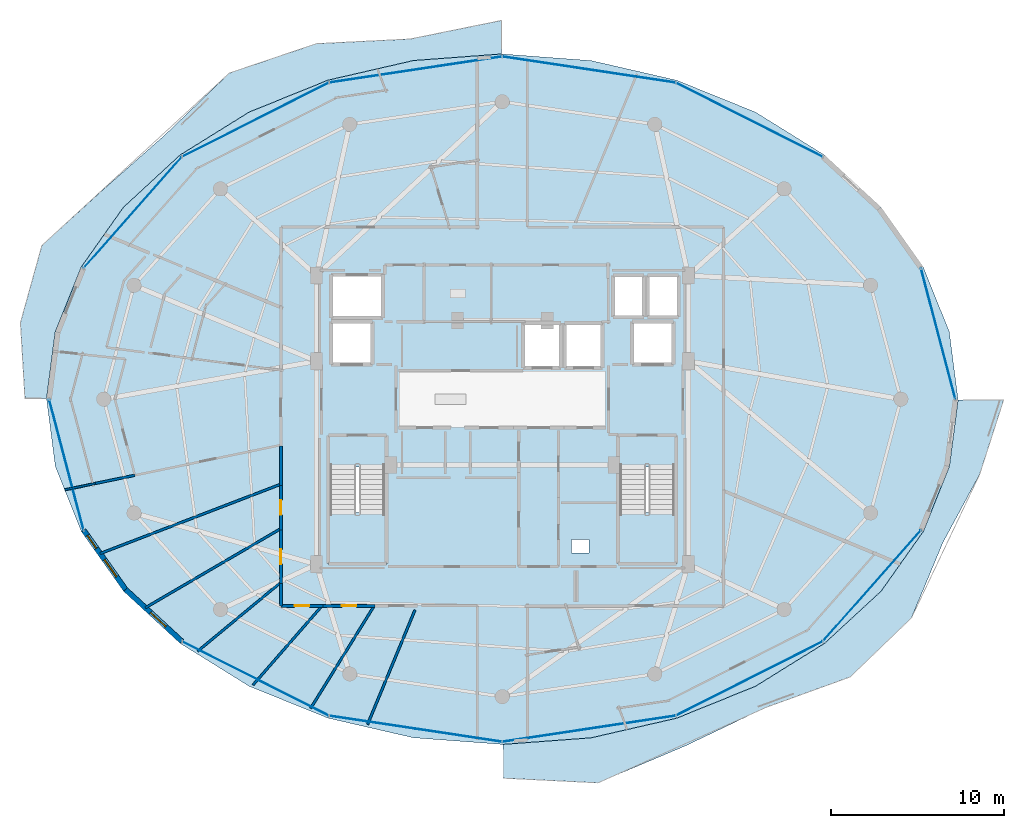
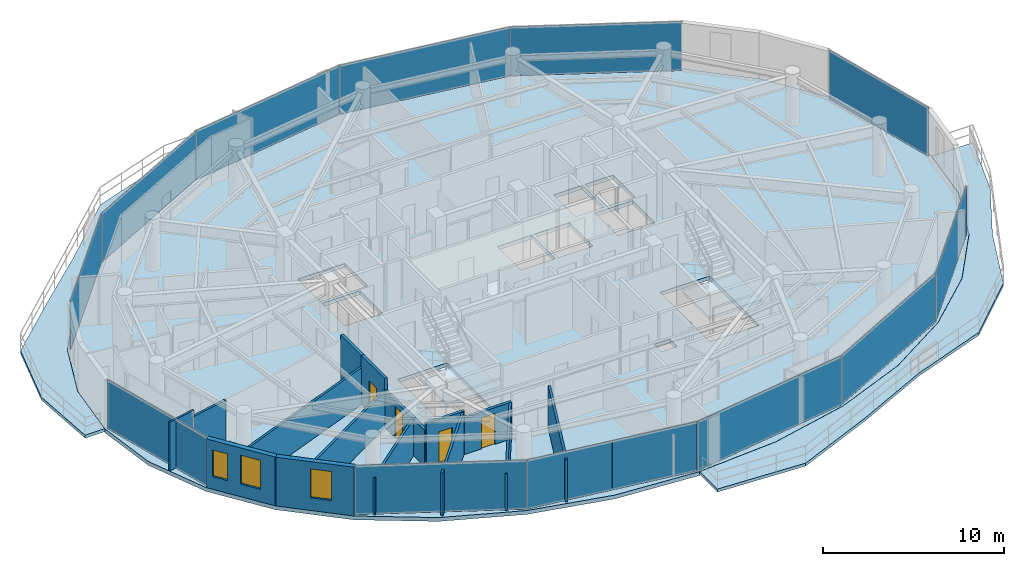
# One storey, part 21 of 30: 16 walls, 13 plates, 5 slabs, 4 doors, 3 windows, 7 openings, 6 elements without a shape of their own.
"""IFC4 building model written with IfcOpenShell, lengths in metres."""

from ifc_helpers import new_model, si_unit, direction, frame, frame_2d, origin, origin_2d, place, context, subcontext, project, spatial, polyline, rectangle, outline, extrude, material, layer, layer_set, type_object, element, fill, aggregate, save


model = new_model("IFC4")

# Units and contexts
model_context = context("Model", 3, precision=1e-05, world=origin(), true_north=direction((0.0, 1.0)))
body_context = subcontext(model_context, "Body", "Model", "MODEL_VIEW")
ifc_project = project(units=[si_unit("LENGTHUNIT", "METRE"), si_unit("AREAUNIT", "SQUARE_METRE"), si_unit("VOLUMEUNIT", "CUBIC_METRE"), si_unit("PLANEANGLEUNIT", "RADIAN"), si_unit("MASSUNIT", "GRAM", prefix="KILO")], contexts=[model_context])

# Site, building, storey
site_placement = place(None, origin())
site = spatial("IfcSite", under=ifc_project, at=site_placement, CompositionType="ELEMENT")
building_placement = place(site_placement, origin())
building = spatial("IfcBuilding", under=site, at=building_placement, Name="Vorneva Point Tower", CompositionType="ELEMENT")
storey_placement = place(building_placement, frame((0.0, 0.0, 237.800048828125)))
storey = spatial("IfcBuildingStorey", under=building, at=storey_placement, Name="L64", CompositionType="ELEMENT", Elevation=237.800048828125)

# Curtain wall, plate
ifc_material_1 = material(Name="Pale anodised aluminium", Category="aluminium")
curtain_wall_type = type_object("IfcCurtainWallType", Name="CW-RES-SYS", PredefinedType="NOTDEFINED", material=ifc_material_1)
curtain_wall_1_placement = place(storey_placement, origin())
curtain_wall_1 = element("IfcCurtainWall", 1, at=curtain_wall_1_placement, inside=storey, type_object=curtain_wall_type, Name="L64 Unitised Curtain Wall CW-L64-R01", PredefinedType="NOTDEFINED")
ifc_material_2 = material(Name="Double low-e laminated glass IGU", Category="glass")
ifc_layer_1 = layer(ifc_material_2, 0.035888671875)
ifc_layer_set_1 = layer_set([ifc_layer_1], Name="Double low-e laminated glass IGU")
plate_type = type_object("IfcPlateType", Name="CW-PNL-VIS", PredefinedType="CURTAIN_PANEL", material=ifc_layer_set_1)
plate_1_placement = place(storey_placement, frame((63.202880859375, 29.79052734375, -0.02001953125), z_axis=(0.0, 0.0, 1.0), x_axis=(-0.254416284022, 0.967094801157, 0.0)))
plate_1 = element("IfcPlate", 2, at=plate_1_placement, type_object=plate_type, Name="CW-L64-R01 Glazed Panel 01", PredefinedType="CURTAIN_PANEL", context=body_context, shape_type="SweptSolid", body=[
    extrude(rectangle(XDim=7.7890625, YDim=0.035888671875, at=origin_2d()), origin(), (0.0, 0.0, 1.0), 3.330078125),
])
aggregate(curtain_wall_1, [plate_1])

# Curtain wall, plates
curtain_wall_2_placement = place(storey_placement, origin())
curtain_wall_2 = element("IfcCurtainWall", 3, at=curtain_wall_2_placement, inside=storey, type_object=curtain_wall_type, Name="L64 Unitised Curtain Wall CW-L64-R02", PredefinedType="NOTDEFINED")
plate_2_placement = place(storey_placement, frame((52.2763671875, 42.15478515625, -0.02001953125), z_axis=(0.0, 0.0, 1.0), x_axis=(-0.892554339087, 0.450939853836, 0.0)))
plate_2 = element("IfcPlate", 4, at=plate_2_placement, type_object=plate_type, Name="CW-L64-R02 Glazed Panel 01", PredefinedType="CURTAIN_PANEL", context=body_context, shape_type="SweptSolid", body=[
    extrude(rectangle(XDim=9.47314453125, YDim=0.035888671875, at=origin_2d()), origin(), (0.0, 0.0, 1.0), 3.330078125),
])
plate_3_placement = place(storey_placement, frame((43.01318359375, 45.055908203125, -0.02001953125), z_axis=(0.0, 0.0, 1.0), x_axis=(-0.988878712919, 0.148724211669, 0.0)))
plate_3 = element("IfcPlate", 5, at=plate_3_placement, type_object=plate_type, Name="CW-L64-R02 Glazed Panel 02", PredefinedType="CURTAIN_PANEL", context=body_context, shape_type="SweptSolid", body=[
    extrude(rectangle(XDim=10.089111328125, YDim=0.035888671875, at=origin_2d()), origin(), (0.0, 0.0, 1.0), 3.330078125),
])
plate_4_placement = place(storey_placement, frame((32.98681640625, 45.055908203125, -0.02001953125), z_axis=(0.0, 0.0, 1.0), x_axis=(-0.988878712919, -0.148724211669, 0.0)))
plate_4 = element("IfcPlate", 6, at=plate_4_placement, type_object=plate_type, Name="CW-L64-R02 Glazed Panel 03", PredefinedType="CURTAIN_PANEL", context=body_context, shape_type="SweptSolid", body=[
    extrude(rectangle(XDim=10.089111328125, YDim=0.035888671875, at=origin_2d()), origin(), (0.0, 0.0, 1.0), 3.330078125),
])
plate_5_placement = place(storey_placement, frame((23.723876953125, 42.15478515625, -0.02001953125), z_axis=(0.0, 0.0, 1.0), x_axis=(-0.892554339087, -0.450939853836, 0.0)))
plate_5 = element("IfcPlate", 7, at=plate_5_placement, type_object=plate_type, Name="CW-L64-R02 Glazed Panel 04", PredefinedType="CURTAIN_PANEL", context=body_context, shape_type="SweptSolid", body=[
    extrude(rectangle(XDim=9.47314453125, YDim=0.035888671875, at=origin_2d()), origin(), (0.0, 0.0, 1.0), 3.330078125),
])
plate_6_placement = place(storey_placement, frame((16.634033203125, 36.79443359375, -0.02001953125), z_axis=(0.0, 0.0, 1.0), x_axis=(-0.662188570806, -0.749337238294, 0.0)))
plate_6 = element("IfcPlate", 8, at=plate_6_placement, type_object=plate_type, Name="CW-L64-R02 Glazed Panel 05", PredefinedType="CURTAIN_PANEL", context=body_context, shape_type="SweptSolid", body=[
    extrude(rectangle(XDim=8.526611328125, YDim=0.035888671875, at=origin_2d()), origin(), (0.0, 0.0, 1.0), 3.330078125),
])
aggregate(curtain_wall_2, [plate_2, plate_3, plate_4, plate_5, plate_6])

# Curtain wall, plate
curtain_wall_3_placement = place(storey_placement, origin())
curtain_wall_3 = element("IfcCurtainWall", 9, at=curtain_wall_3_placement, inside=storey, type_object=curtain_wall_type, Name="L64 Unitised Curtain Wall CW-L64-R03", PredefinedType="NOTDEFINED")
plate_7_placement = place(storey_placement, frame((12.797119140625, 22.20947265625, -0.02001953125), z_axis=(0.0, 0.0, 1.0), x_axis=(0.254416284022, -0.967094801157, 0.0)))
plate_7 = element("IfcPlate", 10, at=plate_7_placement, type_object=plate_type, Name="CW-L64-R03 Glazed Panel 01", PredefinedType="CURTAIN_PANEL", context=body_context, shape_type="SweptSolid", body=[
    extrude(rectangle(XDim=7.7890625, YDim=0.035888671875, at=origin_2d()), origin(), (0.0, 0.0, 1.0), 3.330078125),
])
aggregate(curtain_wall_3, [plate_7])

# Curtain wall, plates
curtain_wall_4_placement = place(storey_placement, origin())
curtain_wall_4 = element("IfcCurtainWall", 11, at=curtain_wall_4_placement, inside=storey, type_object=curtain_wall_type, Name="L64 Unitised Curtain Wall CW-L64-R04", PredefinedType="NOTDEFINED")
plate_8_placement = place(storey_placement, frame((23.723876953125, 9.84521484375, -0.02001953125), z_axis=(0.0, 0.0, 1.0), x_axis=(0.892554339087, -0.450939853836, 0.0)))
plate_8 = element("IfcPlate", 12, at=plate_8_placement, type_object=plate_type, Name="CW-L64-R04 Glazed Panel 01", PredefinedType="CURTAIN_PANEL", context=body_context, shape_type="SweptSolid", body=[
    extrude(rectangle(XDim=9.47314453125, YDim=0.035888671875, at=origin_2d()), origin(), (0.0, 0.0, 1.0), 3.330078125),
])
plate_9_placement = place(storey_placement, frame((30.480224609375, 7.32080078125, -0.02001953125), z_axis=(0.0, 0.0, 1.0), x_axis=(0.988878712919, -0.148724211669, 0.0)))
plate_9 = element("IfcPlate", 13, at=plate_9_placement, type_object=plate_type, Name="CW-L64-R04 Glazed Panel 02A", PredefinedType="CURTAIN_PANEL", context=body_context, shape_type="SweptSolid", body=[
    extrude(rectangle(XDim=5.01953125, YDim=0.035888671875, at=origin_2d()), origin(), (0.0, 0.0, 1.0), 3.330078125),
])
plate_10_placement = place(storey_placement, frame((35.493408203125, 6.56689453125, -0.02001953125), z_axis=(0.0, 0.0, 1.0), x_axis=(0.988878712919, -0.148724211669, 0.0)))
plate_10 = element("IfcPlate", 14, at=plate_10_placement, type_object=plate_type, Name="CW-L64-R04 Glazed Panel 02B", PredefinedType="CURTAIN_PANEL", context=body_context, shape_type="SweptSolid", body=[
    extrude(rectangle(XDim=5.01953125, YDim=0.035888671875, at=origin_2d()), origin(), (0.0, 0.0, 1.0), 3.330078125),
])
plate_11_placement = place(storey_placement, frame((43.01318359375, 6.944091796875, -0.02001953125), z_axis=(0.0, 0.0, 1.0), x_axis=(0.988878712919, 0.148724211669, 0.0)))
plate_11 = element("IfcPlate", 15, at=plate_11_placement, type_object=plate_type, Name="CW-L64-R04 Glazed Panel 03", PredefinedType="CURTAIN_PANEL", context=body_context, shape_type="SweptSolid", body=[
    extrude(rectangle(XDim=10.089111328125, YDim=0.035888671875, at=origin_2d()), origin(), (0.0, 0.0, 1.0), 3.330078125),
])
plate_12_placement = place(storey_placement, frame((52.2763671875, 9.84521484375, -0.02001953125), z_axis=(0.0, 0.0, 1.0), x_axis=(0.892554339087, 0.450939853836, 0.0)))
plate_12 = element("IfcPlate", 16, at=plate_12_placement, type_object=plate_type, Name="CW-L64-R04 Glazed Panel 04", PredefinedType="CURTAIN_PANEL", context=body_context, shape_type="SweptSolid", body=[
    extrude(rectangle(XDim=9.47314453125, YDim=0.035888671875, at=origin_2d()), origin(), (0.0, 0.0, 1.0), 3.330078125),
])
plate_13_placement = place(storey_placement, frame((59.365966796875, 15.20556640625, -0.02001953125), z_axis=(0.0, 0.0, 1.0), x_axis=(0.662188570806, 0.749337238294, 0.0)))
plate_13 = element("IfcPlate", 17, at=plate_13_placement, type_object=plate_type, Name="CW-L64-R04 Glazed Panel 05", PredefinedType="CURTAIN_PANEL", context=body_context, shape_type="SweptSolid", body=[
    extrude(rectangle(XDim=8.526611328125, YDim=0.035888671875, at=origin_2d()), origin(), (0.0, 0.0, 1.0), 3.330078125),
])
aggregate(curtain_wall_4, [plate_8, plate_9, plate_10, plate_11, plate_12, plate_13])

# Slabs
ifc_material_3 = material(Name="Concrete B50 (C40/50)", Category="concrete")
ifc_layer_2 = layer(ifc_material_3, 0.199951171875)
ifc_layer_set_2 = layer_set([ifc_layer_2], Name="Concrete B50 (C40/50)")
slab_type_1 = type_object("IfcSlabType", Name="SLB-BAL-200", PredefinedType="FLOOR", material=ifc_layer_set_2)
slab_1_placement = place(storey_placement, frame((0.0, 0.0, -0.199951171875)))
element("IfcSlab", 18, at=slab_1_placement, inside=storey, type_object=slab_type_1, Name="L64 Cantilevered Wave Balcony NW", PredefinedType="FLOOR", context=body_context, shape_type="SweptSolid", body=[
    extrude(outline(polyline([(10.39697265625, 26.050048828125), (11.652587890625, 26.050048828125), (12.15234375, 29.89453125), (12.15234375, 29.894775390625), (12.152587890625, 29.895263671875), (12.152587890625, 29.8955078125), (13.652099609375, 33.639892578125), (13.65234375, 33.640380859375), (13.652587890625, 33.640625), (16.08740234375, 37.091552734375), (16.087890625, 37.091796875), (16.088134765625, 37.092041015625), (19.364990234375, 40.11669921875), (19.365234375, 40.1171875), (19.365478515625, 40.1171875), (23.358642578125, 42.599609375), (23.35888671875, 42.599609375), (23.359130859375, 42.599853515625), (27.914794921875, 44.4443359375), (27.9150390625, 44.4443359375), (27.915283203125, 44.444580078125), (32.8583984375, 45.580322265625), (32.85888671875, 45.58056640625), (32.859130859375, 45.58056640625), (37.949951171875, 45.960205078125), (37.949951171875, 47.89990234375), (32.671142578125, 46.82568359375), (27.252197265625, 46.556884765625), (22.21728515625, 44.855224609375), (18.4892578125, 41.273681640625), (14.920166015625, 38.121826171875), (11.37744140625, 34.88427734375), (10.13818359375, 30.424072265625), (10.39697265625, 26.050048828125)])), origin(), (0.0, 0.0, 1.0), 0.199951171875),
])
slab_2_placement = place(storey_placement, frame((0.0, 0.0, -0.199951171875)))
element("IfcSlab", 19, at=slab_2_placement, inside=storey, type_object=slab_type_1, Name="L64 Cantilevered Wave Balcony SE", PredefinedType="FLOOR", context=body_context, shape_type="SweptSolid", body=[
    extrude(outline(polyline([(65.59765625, 21.6455078125), (66.98388671875, 25.949951171875), (64.347412109375, 25.949951171875), (63.84765625, 22.10546875), (63.84765625, 22.105224609375), (63.847412109375, 22.104736328125), (63.847412109375, 22.1044921875), (62.347900390625, 18.360107421875), (62.34765625, 18.359619140625), (62.347412109375, 18.359375), (59.91259765625, 14.908447265625), (59.912109375, 14.908203125), (59.911865234375, 14.907958984375), (56.635009765625, 11.88330078125), (56.634765625, 11.8828125), (56.634521484375, 11.8828125), (52.641357421875, 9.400390625), (52.64111328125, 9.400390625), (52.640869140625, 9.400146484375), (48.085205078125, 7.5556640625), (48.0849609375, 7.5556640625), (48.084716796875, 7.555419921875), (43.1416015625, 6.419677734375), (43.14111328125, 6.41943359375), (43.140869140625, 6.41943359375), (38.050048828125, 6.039794921875), (38.050048828125, 4.08740234375), (43.533447265625, 3.81640625), (48.58740234375, 5.954345703125), (53.257080078125, 8.183349609375), (58.108642578125, 9.937255859375), (61.6630859375, 13.363525390625), (63.48779296875, 17.736328125), (65.59765625, 21.6455078125)])), origin(), (0.0, 0.0, 1.0), 0.199951171875),
])

# Stair, slab
stair_type = type_object("IfcStairType", Name="ST-DOG-1500", PredefinedType="HALF_TURN_STAIR", material=ifc_material_3)
stair_1_placement = place(storey_placement, origin())
stair_1 = element("IfcStair", 20, at=stair_1_placement, inside=storey, type_object=stair_type, Name="L64 ST1", PredefinedType="HALF_TURN_STAIR")
ifc_layer_3 = layer(ifc_material_3, 0.199951171875)
ifc_layer_set_3 = layer_set([ifc_layer_3], Name="Concrete B50 (C40/50)")
slab_type_2 = type_object("IfcSlabType", Name="SLB-LND-200", PredefinedType="LANDING", material=ifc_layer_set_3)
slab_3_placement = place(storey_placement, frame((0.0, 0.0, 1.574951171875)))
slab_3 = element("IfcSlab", 21, at=slab_3_placement, type_object=slab_type_2, Name="ST1 landing 1", PredefinedType="LANDING", context=body_context, shape_type="SweptSolid", body=[
    extrude(outline(polyline([(27.929931640625, 16.47998046875), (31.320068359375, 16.47998046875), (31.320068359375, 19.43994140625), (27.929931640625, 19.43994140625), (27.929931640625, 16.47998046875)])), origin(), (0.0, 0.0, 1.0), 0.199951171875),
])
aggregate(stair_1, [slab_3])

stair_2_placement = place(storey_placement, origin())
stair_2 = element("IfcStair", 22, at=stair_2_placement, inside=storey, type_object=stair_type, Name="L64 ST2", PredefinedType="HALF_TURN_STAIR")
slab_4_placement = place(storey_placement, frame((0.0, 0.0, 1.574951171875)))
slab_4 = element("IfcSlab", 23, at=slab_4_placement, type_object=slab_type_2, Name="ST2 landing 1", PredefinedType="LANDING", context=body_context, shape_type="SweptSolid", body=[
    extrude(outline(polyline([(44.679931640625, 16.47998046875), (48.070068359375, 16.47998046875), (48.070068359375, 19.43994140625), (44.679931640625, 19.43994140625), (44.679931640625, 16.47998046875)])), origin(), (0.0, 0.0, 1.0), 0.199951171875),
])
aggregate(stair_2, [slab_4])

# Slab
ifc_layer_4 = layer(ifc_material_3, 0.260009765625)
ifc_layer_set_4 = layer_set([ifc_layer_4], Name="Concrete B50 (C40/50)")
slab_type_3 = type_object("IfcSlabType", Name="SLB-TYP-260", PredefinedType="FLOOR", material=ifc_layer_set_4)
slab_5_placement = place(storey_placement, frame((0.0, 0.0, -0.260009765625)))
element("IfcSlab", 24, at=slab_5_placement, inside=storey, type_object=slab_type_3, Name="L64 Structural Floor Plate", PredefinedType="FLOOR", context=body_context, shape_type="SweptSolid", body=[
    extrude(outline(polyline([(64.35009765625, 26.0), (63.84375, 29.89404296875), (62.34423828125, 33.638427734375), (59.9091796875, 37.089111328125), (56.63232421875, 40.114013671875), (52.639404296875, 42.59619140625), (48.083740234375, 44.440673828125), (43.140625, 45.576416015625), (38.0, 45.9599609375), (32.859375, 45.576416015625), (27.916259765625, 44.440673828125), (23.360595703125, 42.59619140625), (19.36767578125, 40.114013671875), (16.0908203125, 37.089111328125), (13.65576171875, 33.638427734375), (12.15625, 29.89404296875), (11.64990234375, 26.0), (12.15625, 22.10595703125), (13.65576171875, 18.361572265625), (16.0908203125, 14.910888671875), (19.36767578125, 11.885986328125), (23.360595703125, 9.40380859375), (27.916259765625, 7.559326171875), (32.859375, 6.423583984375), (38.0, 6.0400390625), (43.140625, 6.423583984375), (48.083740234375, 7.559326171875), (52.639404296875, 9.40380859375), (56.63232421875, 11.885986328125), (59.9091796875, 14.910888671875), (62.34423828125, 18.361572265625), (63.84375, 22.10595703125), (64.35009765625, 26.0)]), holes=[polyline([(39.199951171875, 27.800048828125), (41.39990234375, 27.800048828125), (41.39990234375, 30.39990234375), (39.199951171875, 30.39990234375), (39.199951171875, 27.800048828125)]), polyline([(41.60009765625, 27.800048828125), (43.800048828125, 27.800048828125), (43.800048828125, 30.39990234375), (41.60009765625, 30.39990234375), (41.60009765625, 27.800048828125)]), polyline([(44.39990234375, 30.739990234375), (46.199951171875, 30.739990234375), (46.199951171875, 33.159912109375), (44.39990234375, 33.159912109375), (44.39990234375, 30.739990234375)]), polyline([(46.39990234375, 30.739990234375), (48.199951171875, 30.739990234375), (48.199951171875, 33.159912109375), (46.39990234375, 33.159912109375), (46.39990234375, 30.739990234375)]), polyline([(28.10009765625, 28.0), (30.5, 28.0), (30.5, 30.5), (28.10009765625, 30.5), (28.10009765625, 28.0)]), polyline([(45.5, 28.0), (47.89990234375, 28.0), (47.89990234375, 30.5), (45.5, 30.5), (45.5, 28.0)]), polyline([(28.10009765625, 30.699951171875), (31.10009765625, 30.699951171875), (31.10009765625, 33.199951171875), (28.10009765625, 33.199951171875), (28.10009765625, 30.699951171875)]), polyline([(28.050048828125, 16.60009765625), (31.199951171875, 16.60009765625), (31.199951171875, 22.080078125), (28.050048828125, 22.080078125), (28.050048828125, 16.60009765625)]), polyline([(44.800048828125, 16.60009765625), (47.949951171875, 16.60009765625), (47.949951171875, 22.080078125), (44.800048828125, 22.080078125), (44.800048828125, 16.60009765625)]), polyline([(42.0, 17.10009765625), (43.0, 17.10009765625), (43.0, 17.89990234375), (42.0, 17.89990234375), (42.0, 17.10009765625)])]), origin(), (0.0, 0.0, 1.0), 0.260009765625),
])

# Wall, openings, windows
ifc_material_4 = material(Name="Precast concrete B50 (C40/50)", Category="concrete")
ifc_layer_5 = layer(ifc_material_4, 0.300048828125)
ifc_layer_set_5 = layer_set([ifc_layer_5], Name="Precast concrete B50 (C40/50)")
wall_type_1 = type_object("IfcWallType", Name="WL-EXT-300", PredefinedType="STANDARD", material=ifc_layer_set_5)
wall_1_placement = place(storey_placement, frame((13.79443359375, 18.4189453125, 0.0), z_axis=(0.0, 0.0, 1.0), x_axis=(0.577261247247, -0.816559521668, 0.0)))
wall_1 = element("IfcWall", 25, at=wall_1_placement, inside=storey, type_object=wall_type_1, Name="L64 Pale-Metal Facade Spandrel Wall 10.1", PredefinedType="STANDARD", context=body_context, shape_type="SweptSolid", body=[
    extrude(rectangle(XDim=4.194091796875, YDim=0.300048828125, at=frame_2d((2.09716796875, 0.0))), origin(), (0.0, 0.0, 1.0), 3.2900390625),
])
opening_1_placement = place(wall_1_placement, frame((0.37646484375, 0.0, 0.85009765625)))
opening_1 = element("IfcOpeningElement", 26, at=opening_1_placement, cuts=wall_1, Name="Opening W-08", PredefinedType="OPENING", context=body_context, shape_type="SweptSolid", body=[
    extrude(rectangle(XDim=0.89990234375, YDim=1.800048828125, at=frame_2d((0.449951171875, 0.89990234375))), frame((0.0, 0.1650390625, 0.0), z_axis=(0.0, -1.0, 0.0), x_axis=(1.0, 0.0, 0.0)), (0.0, 0.0, 1.0), 0.329833984375),
])
opening_2_placement = place(wall_1_placement, frame((2.087158203125, 0.0, 0.85009765625)))
opening_2 = element("IfcOpeningElement", 27, at=opening_2_placement, cuts=wall_1, Name="Opening W-04", PredefinedType="OPENING", context=body_context, shape_type="SweptSolid", body=[
    extrude(rectangle(XDim=1.199951171875, YDim=1.949951171875, at=frame_2d((0.60009765625, 0.97509765625))), frame((0.0, 0.1650390625, 0.0), z_axis=(0.0, -1.0, 0.0), x_axis=(1.0, 0.0, 0.0)), (0.0, 0.0, 1.0), 0.329833984375),
])
window_type_1 = type_object("IfcWindowType", Name="WN-CAS-900", PartitioningType="SINGLE_PANEL", PredefinedType="WINDOW", material=ifc_material_2)
window_1_placement = place(opening_1_placement, origin())
window_1 = element("IfcWindow", 28, at=window_1_placement, inside=storey, type_object=window_type_1, Name="L64 Dwelling Vision Window 01", OverallHeight=1.800048828125, OverallWidth=0.89990234375, PartitioningType="SINGLE_PANEL", PredefinedType="WINDOW", context=body_context, shape_type="SweptSolid", body=[
    extrude(rectangle(XDim=0.89990234375, YDim=1.800048828125, at=frame_2d((0.449951171875, 0.89990234375))), frame((0.0, 0.030029296875, 0.0), z_axis=(0.0, -1.0, 0.0), x_axis=(1.0, 0.0, 0.0)), (0.0, 0.0, 1.0), 0.06005859375),
])
fill(opening_1, window_1)
window_type_2 = type_object("IfcWindowType", Name="WN-RES-1200", PartitioningType="SINGLE_PANEL", PredefinedType="WINDOW", material=ifc_material_2)
window_2_placement = place(opening_2_placement, origin())
window_2 = element("IfcWindow", 29, at=window_2_placement, inside=storey, type_object=window_type_2, Name="L64 Dwelling Vision Window 02", OverallHeight=1.949951171875, OverallWidth=1.199951171875, PartitioningType="SINGLE_PANEL", PredefinedType="WINDOW", context=body_context, shape_type="SweptSolid", body=[
    extrude(rectangle(XDim=1.199951171875, YDim=1.949951171875, at=frame_2d((0.60009765625, 0.97509765625))), frame((0.0, 0.030029296875, 0.0), z_axis=(0.0, -1.0, 0.0), x_axis=(1.0, 0.0, 0.0)), (0.0, 0.0, 1.0), 0.06005859375),
])
fill(opening_2, window_2)

# Wall, opening, window
wall_2_placement = place(storey_placement, frame((16.215576171875, 14.994140625, 0.0), z_axis=(0.0, 0.0, 1.0), x_axis=(0.735445373611, -0.677584018727, 0.0)))
wall_2 = element("IfcWall", 30, at=wall_2_placement, inside=storey, type_object=wall_type_1, Name="L64 Pale-Metal Facade Spandrel Wall 10.2", PredefinedType="STANDARD", context=body_context, shape_type="SweptSolid", body=[
    extrude(rectangle(XDim=4.430419921875, YDim=0.300048828125, at=frame_2d((2.21533203125, 0.0))), origin(), (0.0, 0.0, 1.0), 3.2900390625),
])
opening_3_placement = place(wall_2_placement, frame((1.96923828125, 0.0, 0.85009765625)))
opening_3 = element("IfcOpeningElement", 31, at=opening_3_placement, cuts=wall_2, Name="Opening W-04", PredefinedType="OPENING", context=body_context, shape_type="SweptSolid", body=[
    extrude(rectangle(XDim=1.199951171875, YDim=1.949951171875, at=frame_2d((0.60009765625, 0.97509765625))), frame((0.0, 0.1650390625, 0.0), z_axis=(0.0, -1.0, 0.0), x_axis=(1.0, 0.0, 0.0)), (0.0, 0.0, 1.0), 0.329833984375),
])
window_3_placement = place(opening_3_placement, origin())
window_3 = element("IfcWindow", 32, at=window_3_placement, inside=storey, type_object=window_type_2, Name="L64 Dwelling Vision Window 03", OverallHeight=1.949951171875, OverallWidth=1.199951171875, PartitioningType="SINGLE_PANEL", PredefinedType="WINDOW", context=body_context, shape_type="SweptSolid", body=[
    extrude(rectangle(XDim=1.199951171875, YDim=1.949951171875, at=frame_2d((0.60009765625, 0.97509765625))), frame((0.0, 0.030029296875, 0.0), z_axis=(0.0, -1.0, 0.0), x_axis=(1.0, 0.0, 0.0)), (0.0, 0.0, 1.0), 0.06005859375),
])
fill(opening_3, window_3)

# Walls
ifc_material_5 = material(Name="Fire-rated acoustic gypsum stud partition", Category="gypsum")
ifc_layer_6 = layer(ifc_material_5, 0.110107421875)
ifc_layer_set_6 = layer_set([ifc_layer_6], Name="Fire-rated acoustic gypsum stud partition")
wall_type_2 = type_object("IfcWallType", Name="WL-PART-110", PredefinedType="PARTITIONING", material=ifc_layer_set_6)
wall_3_placement = place(storey_placement, frame((12.7080078125, 20.7626953125, 0.0), z_axis=(0.0, 0.0, 1.0), x_axis=(0.979256697864, 0.202623591143, 0.0)))
element("IfcWall", 33, at=wall_3_placement, inside=storey, type_object=wall_type_2, Name="L64 Interior Partition 077", PredefinedType="PARTITIONING", context=body_context, shape_type="SweptSolid", body=[
    extrude(rectangle(XDim=1.79541015625, YDim=0.110107421875, at=frame_2d((0.897705078125, 0.0))), origin(), (0.0, 0.0, 1.0), 3.2900390625),
])
ifc_layer_7 = layer(ifc_material_5, 0.139892578125)
ifc_layer_set_7 = layer_set([ifc_layer_7], Name="Fire-rated acoustic gypsum stud partition")
wall_type_3 = type_object("IfcWallType", Name="WL-PART-140", PredefinedType="PARTITIONING", material=ifc_layer_set_7)
wall_4_placement = place(storey_placement, frame((16.757080078125, 21.60107421875, 0.0), z_axis=(0.0, 0.0, 1.0), x_axis=(-0.979193678003, -0.2029279206, 0.0)))
element("IfcWall", 34, at=wall_4_placement, inside=storey, type_object=wall_type_3, Name="L64 Interior Partition 071", PredefinedType="PARTITIONING", context=body_context, shape_type="SweptSolid", body=[
    extrude(rectangle(XDim=2.4794921875, YDim=0.139892578125, at=frame_2d((1.23974609375, 0.0))), origin(), (0.0, 0.0, 1.0), 2.8740234375),
])
wall_5_placement = place(storey_placement, frame((14.748046875, 17.073974609375, 0.0), z_axis=(0.0, 0.0, 1.0), x_axis=(0.93355564233, 0.358432507836, 0.0)))
element("IfcWall", 35, at=wall_5_placement, inside=storey, type_object=wall_type_3, Name="L64 Interior Partition 078", PredefinedType="PARTITIONING", context=body_context, shape_type="SweptSolid", body=[
    extrude(rectangle(XDim=11.19580078125, YDim=0.139892578125, at=frame_2d((5.597900390625, 0.0))), origin(), (0.0, 0.0, 1.0), 2.48193359375),
])
wall_6_placement = place(storey_placement, frame((17.363037109375, 13.94091796875, 0.0), z_axis=(0.0, 0.0, 1.0), x_axis=(0.863415767124, 0.5044930258, 0.0)))
element("IfcWall", 36, at=wall_6_placement, inside=storey, type_object=wall_type_3, Name="L64 Interior Partition 079", PredefinedType="PARTITIONING", context=body_context, shape_type="SweptSolid", body=[
    extrude(rectangle(XDim=9.07666015625, YDim=0.139892578125, at=frame_2d((4.538330078125, 0.0))), origin(), (0.0, 0.0, 1.0), 2.48193359375),
])
wall_7_placement = place(storey_placement, frame((20.386962890625, 11.428955078125, 0.0), z_axis=(0.0, 0.0, 1.0), x_axis=(0.770490958976, 0.637450925277, 0.0)))
element("IfcWall", 37, at=wall_7_placement, inside=storey, type_object=wall_type_3, Name="L64 Interior Partition 080", PredefinedType="PARTITIONING", context=body_context, shape_type="SweptSolid", body=[
    extrude(rectangle(XDim=6.24658203125, YDim=0.139892578125, at=frame_2d((3.123291015625, 0.0))), origin(), (0.0, 0.0, 1.0), 2.48193359375),
])
wall_8_placement = place(storey_placement, frame((23.583984375, 9.47509765625, 0.0), z_axis=(0.0, 0.0, 1.0), x_axis=(0.657373610703, 0.75356481868, 0.0)))
element("IfcWall", 38, at=wall_8_placement, inside=storey, type_object=wall_type_3, Name="L64 Interior Partition 081", PredefinedType="PARTITIONING", context=body_context, shape_type="SweptSolid", body=[
    extrude(rectangle(XDim=6.071044921875, YDim=0.139892578125, at=frame_2d((3.03564453125, 0.0))), origin(), (0.0, 0.0, 1.0), 2.8740234375),
])
wall_9_placement = place(storey_placement, frame((26.91796875, 8.1259765625, 0.0), z_axis=(0.0, 0.0, 1.0), x_axis=(0.526957378796, 0.849891711298, 0.0)))
element("IfcWall", 39, at=wall_9_placement, inside=storey, type_object=wall_type_3, Name="L64 Interior Partition 082", PredefinedType="PARTITIONING", context=body_context, shape_type="SweptSolid", body=[
    extrude(rectangle(XDim=6.970458984375, YDim=0.139892578125, at=frame_2d((3.4853515625, 0.0))), origin(), (0.0, 0.0, 1.0), 2.48193359375),
])
wall_10_placement = place(storey_placement, frame((30.20703125, 7.18701171875, 0.0), z_axis=(0.0, 0.0, 1.0), x_axis=(0.382679691634, 0.923881081964, 0.0)))
element("IfcWall", 40, at=wall_10_placement, inside=storey, type_object=wall_type_3, Name="L64 Interior Closure Partition 122", PredefinedType="PARTITIONING", context=body_context, shape_type="SweptSolid", body=[
    extrude(rectangle(XDim=7.167724609375, YDim=0.139892578125, at=frame_2d((3.583984375, 0.0))), origin(), (0.0, 0.0, 1.0), 2.8740234375),
])
ifc_material_6 = material(Name="Autoclaved aerated concrete blockwork", Category="masonry")
ifc_layer_8 = layer(ifc_material_6, 0.179931640625)
ifc_layer_set_8 = layer_set([ifc_layer_8], Name="Autoclaved aerated concrete blockwork")
wall_type_4 = type_object("IfcWallType", Name="WL-PART-180", PredefinedType="PARTITIONING", material=ifc_layer_set_8)
wall_11_placement = place(storey_placement, frame((25.199951171875, 23.2880859375, 0.0), z_axis=(0.0, 0.0, 1.0), x_axis=(0.0, -1.0, 0.0)))
element("IfcWall", 41, at=wall_11_placement, inside=storey, type_object=wall_type_4, Name="L64 Interior Partition 039", PredefinedType="PARTITIONING", context=body_context, shape_type="SweptSolid", body=[
    extrude(rectangle(XDim=2.26513671875, YDim=0.179931640625, at=frame_2d((1.132568359375, 0.0))), origin(), (0.0, 0.0, 1.0), 3.2900390625),
])

# Wall, opening, door
wall_12_placement = place(storey_placement, frame((25.199951171875, 21.02294921875, 0.0), z_axis=(0.0, 0.0, 1.0), x_axis=(0.0, -1.0, 0.0)))
wall_12 = element("IfcWall", 42, at=wall_12_placement, inside=storey, type_object=wall_type_4, Name="L64 Interior Partition 040", PredefinedType="PARTITIONING", context=body_context, shape_type="SweptSolid", body=[
    extrude(rectangle(XDim=2.572021484375, YDim=0.179931640625, at=frame_2d((1.2861328125, 0.0))), origin(), (0.0, 0.0, 1.0), 3.2900390625),
])
opening_4_placement = place(wall_12_placement, frame((0.861083984375, 0.0, 0.0)))
opening_4 = element("IfcOpeningElement", 43, at=opening_4_placement, cuts=wall_12, Name="Opening ID-02", PredefinedType="OPENING", context=body_context, shape_type="SweptSolid", body=[
    extrude(rectangle(XDim=0.85009765625, YDim=2.10009765625, at=frame_2d((0.425048828125, 1.050048828125))), frame((0.0, 0.10498046875, 0.0), z_axis=(0.0, -1.0, 0.0), x_axis=(1.0, 0.0, 0.0)), (0.0, 0.0, 1.0), 0.209716796875),
])
ifc_material_7 = material(Name="Engineered oak fire-rated door leaf", Category="wood")
door_type = type_object("IfcDoorType", Name="DR-BATH-850", OperationType="NOTDEFINED", PredefinedType="DOOR", material=ifc_material_7)
door_1_placement = place(opening_4_placement, origin())
door_1 = element("IfcDoor", 44, at=door_1_placement, inside=storey, type_object=door_type, Name="L64 Access Door L64 Circulation Corridor", OperationType="SINGLE_SWING_LEFT", OverallHeight=2.10009765625, OverallWidth=0.85009765625, PredefinedType="DOOR", context=body_context, shape_type="SweptSolid", body=[
    extrude(rectangle(XDim=0.85009765625, YDim=2.10009765625, at=frame_2d((0.425048828125, 1.050048828125))), frame((0.0, 0.02490234375, 0.0), z_axis=(0.0, -1.0, 0.0), x_axis=(1.0, 0.0, 0.0)), (0.0, 0.0, 1.0), 0.050048828125),
])
fill(opening_4, door_1)

wall_13_placement = place(storey_placement, frame((25.199951171875, 18.450927734375, 0.0), z_axis=(0.0, 0.0, 1.0), x_axis=(0.0, -1.0, 0.0)))
wall_13 = element("IfcWall", 45, at=wall_13_placement, inside=storey, type_object=wall_type_4, Name="L64 Interior Partition 041", PredefinedType="PARTITIONING", context=body_context, shape_type="SweptSolid", body=[
    extrude(rectangle(XDim=3.117919921875, YDim=0.179931640625, at=frame_2d((1.55908203125, 0.0))), origin(), (0.0, 0.0, 1.0), 2.48193359375),
])
opening_5_placement = place(wall_13_placement, frame((1.134033203125, 0.0, 0.0)))
opening_5 = element("IfcOpeningElement", 46, at=opening_5_placement, cuts=wall_13, Name="Opening ID-02", PredefinedType="OPENING", context=body_context, shape_type="SweptSolid", body=[
    extrude(rectangle(XDim=0.85009765625, YDim=2.10009765625, at=frame_2d((0.425048828125, 1.050048828125))), frame((0.0, 0.10498046875, 0.0), z_axis=(0.0, -1.0, 0.0), x_axis=(1.0, 0.0, 0.0)), (0.0, 0.0, 1.0), 0.209716796875),
])
door_2_placement = place(opening_5_placement, origin())
door_2 = element("IfcDoor", 47, at=door_2_placement, inside=storey, type_object=door_type, Name="L64 Access Door L64 Circulation Corridor", OperationType="SINGLE_SWING_RIGHT", OverallHeight=2.10009765625, OverallWidth=0.85009765625, PredefinedType="DOOR", context=body_context, shape_type="SweptSolid", body=[
    extrude(rectangle(XDim=0.85009765625, YDim=2.10009765625, at=frame_2d((0.425048828125, 1.050048828125))), frame((0.0, 0.02490234375, 0.0), z_axis=(0.0, -1.0, 0.0), x_axis=(1.0, 0.0, 0.0)), (0.0, 0.0, 1.0), 0.050048828125),
])
fill(opening_5, door_2)

# Wall
wall_14_placement = place(storey_placement, frame((25.199951171875, 15.3330078125, 0.0), z_axis=(0.0, 0.0, 1.0), x_axis=(0.0, -1.0, 0.0)))
element("IfcWall", 48, at=wall_14_placement, inside=storey, type_object=wall_type_4, Name="L64 Interior Partition 042", PredefinedType="PARTITIONING", context=body_context, shape_type="SweptSolid", body=[
    extrude(rectangle(XDim=1.282958984375, YDim=0.179931640625, at=frame_2d((0.6416015625, 0.0))), origin(), (0.0, 0.0, 1.0), 2.48193359375),
])

# Wall, opening, door
wall_15_placement = place(storey_placement, frame((25.199951171875, 14.050048828125, 0.0), z_axis=(0.0, 0.0, 1.0), x_axis=(1.0, 0.0, 0.0)))
wall_15 = element("IfcWall", 49, at=wall_15_placement, inside=storey, type_object=wall_type_4, Name="L64 Interior Partition 043", PredefinedType="PARTITIONING", context=body_context, shape_type="SweptSolid", body=[
    extrude(rectangle(XDim=2.43505859375, YDim=0.179931640625, at=frame_2d((1.217529296875, 0.0))), origin(), (0.0, 0.0, 1.0), 2.924072265625),
])
opening_6_placement = place(wall_15_placement, frame((0.79248046875, 0.0, 0.0)))
opening_6 = element("IfcOpeningElement", 50, at=opening_6_placement, cuts=wall_15, Name="Opening ID-02", PredefinedType="OPENING", context=body_context, shape_type="SweptSolid", body=[
    extrude(rectangle(XDim=0.85009765625, YDim=2.10009765625, at=frame_2d((0.425048828125, 1.050048828125))), frame((0.0, 0.10498046875, 0.0), z_axis=(0.0, -1.0, 0.0), x_axis=(1.0, 0.0, 0.0)), (0.0, 0.0, 1.0), 0.209716796875),
])
door_3_placement = place(opening_6_placement, origin())
door_3 = element("IfcDoor", 51, at=door_3_placement, inside=storey, type_object=door_type, Name="L64 Access Door L64 Circulation Corridor", OperationType="SINGLE_SWING_LEFT", OverallHeight=2.10009765625, OverallWidth=0.85009765625, PredefinedType="DOOR", context=body_context, shape_type="SweptSolid", body=[
    extrude(rectangle(XDim=0.85009765625, YDim=2.10009765625, at=frame_2d((0.425048828125, 1.050048828125))), frame((0.0, 0.02490234375, 0.0), z_axis=(0.0, -1.0, 0.0), x_axis=(1.0, 0.0, 0.0)), (0.0, 0.0, 1.0), 0.050048828125),
])
fill(opening_6, door_3)

wall_16_placement = place(storey_placement, frame((27.635009765625, 14.050048828125, 0.0), z_axis=(0.0, 0.0, 1.0), x_axis=(1.0, 0.0, 0.0)))
wall_16 = element("IfcWall", 52, at=wall_16_placement, inside=storey, type_object=wall_type_4, Name="L64 Interior Partition 044", PredefinedType="PARTITIONING", context=body_context, shape_type="SweptSolid", body=[
    extrude(rectangle(XDim=3.015869140625, YDim=0.179931640625, at=frame_2d((1.5078125, 0.0))), origin(), (0.0, 0.0, 1.0), 2.48193359375),
])
opening_7_placement = place(wall_16_placement, frame((1.0830078125, 0.0, 0.0)))
opening_7 = element("IfcOpeningElement", 53, at=opening_7_placement, cuts=wall_16, Name="Opening ID-02", PredefinedType="OPENING", context=body_context, shape_type="SweptSolid", body=[
    extrude(rectangle(XDim=0.85009765625, YDim=2.10009765625, at=frame_2d((0.425048828125, 1.050048828125))), frame((0.0, 0.10498046875, 0.0), z_axis=(0.0, -1.0, 0.0), x_axis=(1.0, 0.0, 0.0)), (0.0, 0.0, 1.0), 0.209716796875),
])
door_4_placement = place(opening_7_placement, origin())
door_4 = element("IfcDoor", 54, at=door_4_placement, inside=storey, type_object=door_type, Name="L64 Access Door L64 Circulation Corridor", OperationType="SINGLE_SWING_RIGHT", OverallHeight=2.10009765625, OverallWidth=0.85009765625, PredefinedType="DOOR", context=body_context, shape_type="SweptSolid", body=[
    extrude(rectangle(XDim=0.85009765625, YDim=2.10009765625, at=frame_2d((0.425048828125, 1.050048828125))), frame((0.0, 0.02490234375, 0.0), z_axis=(0.0, -1.0, 0.0), x_axis=(1.0, 0.0, 0.0)), (0.0, 0.0, 1.0), 0.050048828125),
])
fill(opening_7, door_4)

save(model, "model.ifc")
